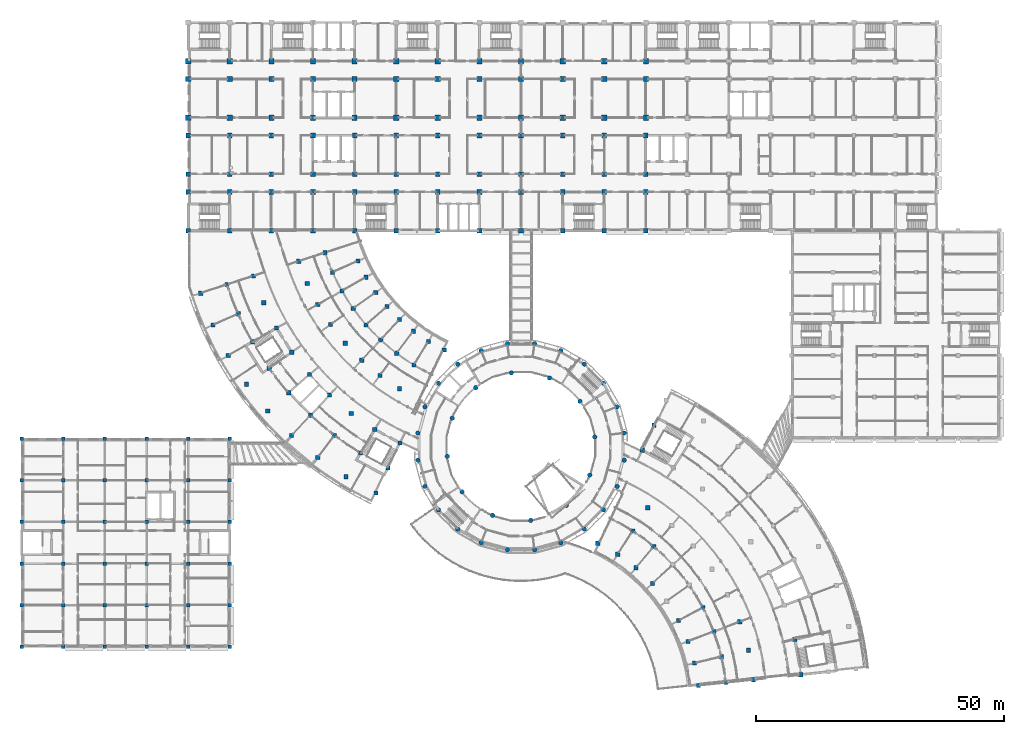
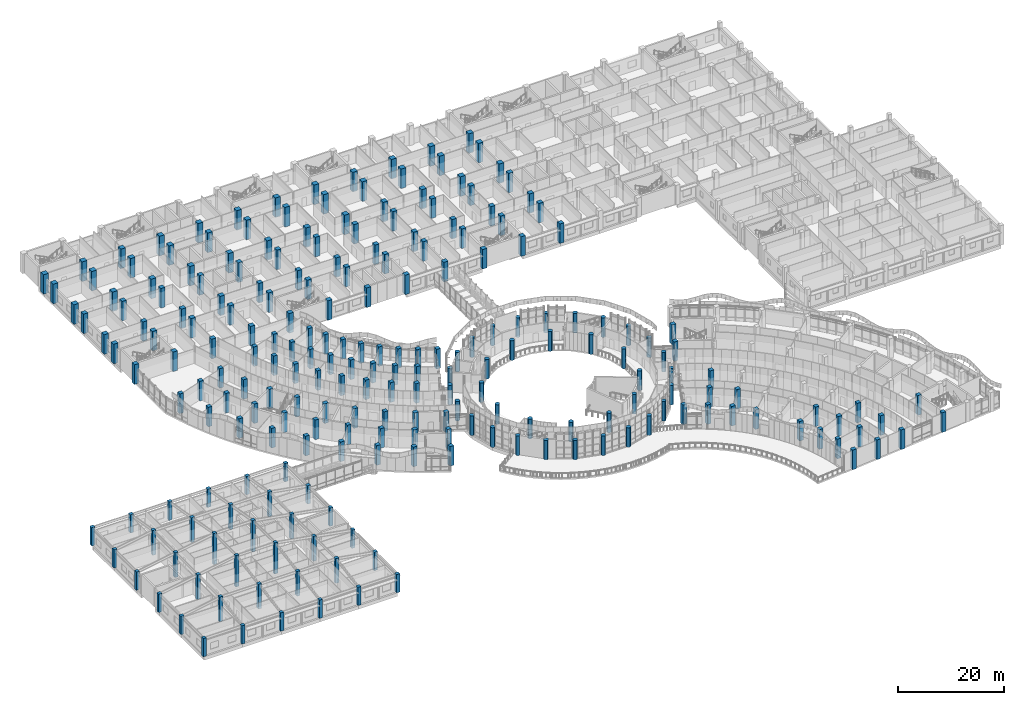
# One storey, part 1 of 136: 229 columns.
"""IFC4 building model written with IfcOpenShell, lengths in metres."""

from ifc_helpers import new_model, si_unit, direction, frame, origin, origin_2d, place, context, subcontext, project, spatial, rectangle, circle, extrude, material, material_profile, profile_set, type_object, element, save


model = new_model("IFC4")

# Units and contexts
model_context = context("Model", 3, precision=1e-05, world=origin(), true_north=direction((0.0, 1.0)))
body_context = subcontext(model_context, "Body", "Model", "MODEL_VIEW")
ifc_project = project(units=[si_unit("LENGTHUNIT", "METRE"), si_unit("AREAUNIT", "SQUARE_METRE"), si_unit("VOLUMEUNIT", "CUBIC_METRE"), si_unit("PLANEANGLEUNIT", "RADIAN"), si_unit("MASSUNIT", "GRAM", prefix="KILO")], contexts=[model_context])

# Site, building, storey
site_placement = place(None, origin())
site = spatial("IfcSite", under=ifc_project, at=site_placement, CompositionType="ELEMENT")
building_placement = place(site_placement, origin())
building = spatial("IfcBuilding", under=site, at=building_placement, Name="Bougainvillea Quay General Hospital", CompositionType="ELEMENT")
storey_placement = place(building_placement, frame((0.0, 0.0, 5.39990234375)))
storey = spatial("IfcBuildingStorey", under=building, at=storey_placement, Name="L01", CompositionType="ELEMENT", Elevation=5.39990234375)

# Columns
ifc_material = material(Name="Concrete C50", Category="concrete")
ifc_material_profile_1 = material_profile(ifc_material, rectangle(XDim=1.050048828125, YDim=1.050048828125, at=origin_2d()))
ifc_profile_set_1 = profile_set([ifc_material_profile_1], Name="Concrete C50")
column_type_1 = type_object("IfcColumnType", Name="RC COL 1050x1050 C50", PredefinedType="COLUMN", material=ifc_profile_set_1)
for number, where, z_axis, x_axis, name in (
    (1, (42.0, 140.39990234375, 0.0), (0.0, 0.0, 1.0), (1.0, 0.0, 0.0), "Column C-V4-004 L01"),
    (2, (42.0, 148.199951171875, 0.0), (0.0, 0.0, 1.0), (1.0, 0.0, 0.0), "Column C-V4-005 L01"),
    (3, (42.0, 151.800048828125, 0.0), (0.0, 0.0, 1.0), (1.0, 0.0, 0.0), "Column C-V4-006 L01"),
    (4, (50.39990234375, 140.39990234375, 0.0), (0.0, 0.0, 1.0), (1.0, 0.0, 0.0), "Column C-V4-014 L01"),
    (5, (50.39990234375, 148.199951171875, 0.0), (0.0, 0.0, 1.0), (1.0, 0.0, 0.0), "Column C-V4-015 L01"),
    (6, (50.39990234375, 151.800048828125, 0.0), (0.0, 0.0, 1.0), (1.0, 0.0, 0.0), "Column C-V4-016 L01"),
    (7, (58.800048828125, 140.39990234375, 0.0), (0.0, 0.0, 1.0), (1.0, 0.0, 0.0), "Column C-V4-024 L01"),
    (8, (58.800048828125, 148.199951171875, 0.0), (0.0, 0.0, 1.0), (1.0, 0.0, 0.0), "Column C-V4-025 L01"),
    (9, (58.800048828125, 151.800048828125, 0.0), (0.0, 0.0, 1.0), (1.0, 0.0, 0.0), "Column C-V4-026 L01"),
    (10, (67.199951171875, 140.39990234375, 0.0), (0.0, 0.0, 1.0), (1.0, 0.0, 0.0), "Column C-V4-034 L01"),
    (11, (67.199951171875, 148.199951171875, 0.0), (0.0, 0.0, 1.0), (1.0, 0.0, 0.0), "Column C-V4-035 L01"),
    (12, (67.199951171875, 151.800048828125, 0.0), (0.0, 0.0, 1.0), (1.0, 0.0, 0.0), "Column C-V4-036 L01"),
    (13, (75.60009765625, 140.39990234375, 0.0), (0.0, 0.0, 1.0), (1.0, 0.0, 0.0), "Column C-V4-044 L01"),
    (14, (75.60009765625, 148.199951171875, 0.0), (0.0, 0.0, 1.0), (1.0, 0.0, 0.0), "Column C-V4-045 L01"),
    (15, (75.60009765625, 151.800048828125, 0.0), (0.0, 0.0, 1.0), (1.0, 0.0, 0.0), "Column C-V4-046 L01"),
    (16, (84.0, 140.39990234375, 0.0), (0.0, 0.0, 1.0), (1.0, 0.0, 0.0), "Column C-V4-054 L01"),
    (17, (84.0, 148.199951171875, 0.0), (0.0, 0.0, 1.0), (1.0, 0.0, 0.0), "Column C-V4-055 L01"),
    (18, (84.0, 151.800048828125, 0.0), (0.0, 0.0, 1.0), (1.0, 0.0, 0.0), "Column C-V4-056 L01"),
    (19, (92.39990234375, 140.39990234375, 0.0), (0.0, 0.0, 1.0), (1.0, 0.0, 0.0), "Column C-V4-064 L01"),
    (20, (92.39990234375, 148.199951171875, 0.0), (0.0, 0.0, 1.0), (1.0, 0.0, 0.0), "Column C-V4-065 L01"),
    (21, (92.39990234375, 151.800048828125, 0.0), (0.0, 0.0, 1.0), (1.0, 0.0, 0.0), "Column C-V4-066 L01"),
    (22, (100.800048828125, 140.39990234375, 0.0), (0.0, 0.0, 1.0), (1.0, 0.0, 0.0), "Column C-V4-074 L01"),
    (23, (100.800048828125, 148.199951171875, 0.0), (0.0, 0.0, 1.0), (1.0, 0.0, 0.0), "Column C-V4-075 L01"),
    (24, (100.800048828125, 151.800048828125, 0.0), (0.0, 0.0, 1.0), (1.0, 0.0, 0.0), "Column C-V4-076 L01"),
    (25, (109.199951171875, 140.39990234375, 0.0), (0.0, 0.0, 1.0), (1.0, 0.0, 0.0), "Column C-V4-084 L01"),
    (26, (109.199951171875, 148.199951171875, 0.0), (0.0, 0.0, 1.0), (1.0, 0.0, 0.0), "Column C-V4-085 L01"),
    (27, (109.199951171875, 151.800048828125, 0.0), (0.0, 0.0, 1.0), (1.0, 0.0, 0.0), "Column C-V4-086 L01"),
    (28, (117.60009765625, 140.39990234375, 0.0), (0.0, 0.0, 1.0), (1.0, 0.0, 0.0), "Column C-V4-094 L01"),
    (29, (117.60009765625, 148.199951171875, 0.0), (0.0, 0.0, 1.0), (1.0, 0.0, 0.0), "Column C-V4-095 L01"),
    (30, (117.60009765625, 151.800048828125, 0.0), (0.0, 0.0, 1.0), (1.0, 0.0, 0.0), "Column C-V4-096 L01"),
    (31, (126.0, 140.39990234375, 0.0), (0.0, 0.0, 1.0), (1.0, 0.0, 0.0), "Column C-V4-104 L01"),
    (32, (126.0, 148.199951171875, 0.0), (0.0, 0.0, 1.0), (1.0, 0.0, 0.0), "Column C-V4-105 L01"),
    (33, (126.0, 151.800048828125, 0.0), (0.0, 0.0, 1.0), (1.0, 0.0, 0.0), "Column C-V4-106 L01"),
    (34, (134.39990234375, 140.39990234375, 0.0), (0.0, 0.0, 1.0), (1.0, 0.0, 0.0), "Column C-V4-114 L01"),
    (35, (134.39990234375, 148.199951171875, 0.0), (0.0, 0.0, 1.0), (1.0, 0.0, 0.0), "Column C-V4-115 L01"),
    (36, (134.39990234375, 151.800048828125, 0.0), (0.0, 0.0, 1.0), (1.0, 0.0, 0.0), "Column C-V4-116 L01"),
):
    element("IfcColumn", number, at=place(storey_placement, frame(where, z_axis=z_axis, x_axis=x_axis)), inside=storey, type_object=column_type_1, Name=name, PredefinedType="COLUMN", context=body_context, shape_type="SweptSolid", body=[
        extrude(rectangle(XDim=1.050048828125, YDim=1.050048828125, at=origin_2d()), origin(), (0.0, 0.0, 1.0), 4.5),
    ])
ifc_material_profile_2 = material_profile(ifc_material, rectangle(XDim=0.699951171875, YDim=0.699951171875, at=origin_2d()))
ifc_profile_set_2 = profile_set([ifc_material_profile_2], Name="Concrete C50")
column_type_2 = type_object("IfcColumnType", Name="RC COL 700x700 C50", PredefinedType="COLUMN", material=ifc_profile_set_2)
for number, where, z_axis, x_axis, name in (
    (37, (8.39990234375, 33.60009765625, 0.0), (0.0, 0.0, 1.0), (1.0, 0.0, 0.0), "Column C-V2-00 L01"),
    (38, (8.39990234375, 42.0, 0.0), (0.0, 0.0, 1.0), (1.0, 0.0, 0.0), "Column C-V2-01 L01"),
    (39, (8.39990234375, 50.39990234375, 0.0), (0.0, 0.0, 1.0), (1.0, 0.0, 0.0), "Column C-V2-02 L01"),
    (40, (8.39990234375, 58.800048828125, 0.0), (0.0, 0.0, 1.0), (1.0, 0.0, 0.0), "Column C-V2-03 L01"),
    (41, (8.39990234375, 67.199951171875, 0.0), (0.0, 0.0, 1.0), (1.0, 0.0, 0.0), "Column C-V2-04 L01"),
    (42, (8.39990234375, 75.60009765625, 0.0), (0.0, 0.0, 1.0), (1.0, 0.0, 0.0), "Column C-V2-05 L01"),
    (43, (16.800048828125, 33.60009765625, 0.0), (0.0, 0.0, 1.0), (1.0, 0.0, 0.0), "Column C-V2-10 L01"),
):
    element("IfcColumn", number, at=place(storey_placement, frame(where, z_axis=z_axis, x_axis=x_axis)), inside=storey, type_object=column_type_2, Name=name, PredefinedType="COLUMN", context=body_context, shape_type="SweptSolid", body=[
        extrude(rectangle(XDim=0.699951171875, YDim=0.699951171875, at=origin_2d()), origin(), (0.0, 0.0, 1.0), 4.210205078125),
    ])
for number, where, z_axis, x_axis, name in (
    (44, (16.800048828125, 42.0, 0.0), (0.0, 0.0, 1.0), (1.0, 0.0, 0.0), "Column C-V2-11 L01"),
    (45, (16.800048828125, 50.39990234375, 0.0), (0.0, 0.0, 1.0), (1.0, 0.0, 0.0), "Column C-V2-12 L01"),
    (46, (16.800048828125, 58.800048828125, 0.0), (0.0, 0.0, 1.0), (1.0, 0.0, 0.0), "Column C-V2-13 L01"),
    (47, (16.800048828125, 67.199951171875, 0.0), (0.0, 0.0, 1.0), (1.0, 0.0, 0.0), "Column C-V2-14 L01"),
):
    element("IfcColumn", number, at=place(storey_placement, frame(where, z_axis=z_axis, x_axis=x_axis)), inside=storey, type_object=column_type_2, Name=name, PredefinedType="COLUMN", context=body_context, shape_type="SweptSolid", body=[
        extrude(rectangle(XDim=0.699951171875, YDim=0.699951171875, at=origin_2d()), origin(), (0.0, 0.0, 1.0), 5.691162109375),
    ])
for number, where, z_axis, x_axis, name in (
    (48, (16.800048828125, 75.60009765625, 0.0), (0.0, 0.0, 1.0), (1.0, 0.0, 0.0), "Column C-V2-15 L01"),
    (49, (25.199951171875, 33.60009765625, 0.0), (0.0, 0.0, 1.0), (1.0, 0.0, 0.0), "Column C-V2-20 L01"),
):
    element("IfcColumn", number, at=place(storey_placement, frame(where, z_axis=z_axis, x_axis=x_axis)), inside=storey, type_object=column_type_2, Name=name, PredefinedType="COLUMN", context=body_context, shape_type="SweptSolid", body=[
        extrude(rectangle(XDim=0.699951171875, YDim=0.699951171875, at=origin_2d()), origin(), (0.0, 0.0, 1.0), 4.210205078125),
    ])
column_1_placement = place(storey_placement, frame((25.199951171875, 42.0, 0.0), z_axis=(0.0, 0.0, 1.0), x_axis=(1.0, 0.0, 0.0)))
element("IfcColumn", 50, at=column_1_placement, inside=storey, type_object=column_type_2, Name="Column C-V2-21 L01", PredefinedType="COLUMN", context=body_context, shape_type="SweptSolid", body=[
    extrude(rectangle(XDim=0.699951171875, YDim=0.699951171875, at=origin_2d()), origin(), (0.0, 0.0, 1.0), 5.691162109375),
])
for number, where, z_axis, x_axis, name in (
    (51, (25.199951171875, 50.39990234375, 0.0), (0.0, 0.0, 1.0), (1.0, 0.0, 0.0), "Column C-V2-22 L01"),
    (52, (25.199951171875, 58.800048828125, 0.0), (0.0, 0.0, 1.0), (1.0, 0.0, 0.0), "Column C-V2-23 L01"),
):
    element("IfcColumn", number, at=place(storey_placement, frame(where, z_axis=z_axis, x_axis=x_axis)), inside=storey, type_object=column_type_2, Name=name, PredefinedType="COLUMN", context=body_context, shape_type="SweptSolid", body=[
        extrude(rectangle(XDim=0.699951171875, YDim=0.699951171875, at=origin_2d()), origin(), (0.0, 0.0, 1.0), 7.17236328125),
    ])
column_2_placement = place(storey_placement, frame((25.199951171875, 67.199951171875, 0.0), z_axis=(0.0, 0.0, 1.0), x_axis=(1.0, 0.0, 0.0)))
element("IfcColumn", 53, at=column_2_placement, inside=storey, type_object=column_type_2, Name="Column C-V2-24 L01", PredefinedType="COLUMN", context=body_context, shape_type="SweptSolid", body=[
    extrude(rectangle(XDim=0.699951171875, YDim=0.699951171875, at=origin_2d()), origin(), (0.0, 0.0, 1.0), 5.691162109375),
])
for number, where, z_axis, x_axis, name in (
    (54, (25.199951171875, 75.60009765625, 0.0), (0.0, 0.0, 1.0), (1.0, 0.0, 0.0), "Column C-V2-25 L01"),
    (55, (33.60009765625, 33.60009765625, 0.0), (0.0, 0.0, 1.0), (1.0, 0.0, 0.0), "Column C-V2-30 L01"),
):
    element("IfcColumn", number, at=place(storey_placement, frame(where, z_axis=z_axis, x_axis=x_axis)), inside=storey, type_object=column_type_2, Name=name, PredefinedType="COLUMN", context=body_context, shape_type="SweptSolid", body=[
        extrude(rectangle(XDim=0.699951171875, YDim=0.699951171875, at=origin_2d()), origin(), (0.0, 0.0, 1.0), 4.210205078125),
    ])
column_3_placement = place(storey_placement, frame((33.60009765625, 42.0, 0.0), z_axis=(0.0, 0.0, 1.0), x_axis=(1.0, 0.0, 0.0)))
element("IfcColumn", 56, at=column_3_placement, inside=storey, type_object=column_type_2, Name="Column C-V2-31 L01", PredefinedType="COLUMN", context=body_context, shape_type="SweptSolid", body=[
    extrude(rectangle(XDim=0.699951171875, YDim=0.699951171875, at=origin_2d()), origin(), (0.0, 0.0, 1.0), 5.691162109375),
])
for number, where, z_axis, x_axis, name in (
    (57, (33.60009765625, 50.39990234375, 0.0), (0.0, 0.0, 1.0), (1.0, 0.0, 0.0), "Column C-V2-32 L01"),
    (58, (33.60009765625, 58.800048828125, 0.0), (0.0, 0.0, 1.0), (1.0, 0.0, 0.0), "Column C-V2-33 L01"),
):
    element("IfcColumn", number, at=place(storey_placement, frame(where, z_axis=z_axis, x_axis=x_axis)), inside=storey, type_object=column_type_2, Name=name, PredefinedType="COLUMN", context=body_context, shape_type="SweptSolid", body=[
        extrude(rectangle(XDim=0.699951171875, YDim=0.699951171875, at=origin_2d()), origin(), (0.0, 0.0, 1.0), 7.17236328125),
    ])
column_4_placement = place(storey_placement, frame((33.60009765625, 67.199951171875, 0.0), z_axis=(0.0, 0.0, 1.0), x_axis=(1.0, 0.0, 0.0)))
element("IfcColumn", 59, at=column_4_placement, inside=storey, type_object=column_type_2, Name="Column C-V2-34 L01", PredefinedType="COLUMN", context=body_context, shape_type="SweptSolid", body=[
    extrude(rectangle(XDim=0.699951171875, YDim=0.699951171875, at=origin_2d()), origin(), (0.0, 0.0, 1.0), 5.691162109375),
])
for number, where, z_axis, x_axis, name in (
    (60, (33.60009765625, 75.60009765625, 0.0), (0.0, 0.0, 1.0), (1.0, 0.0, 0.0), "Column C-V2-35 L01"),
    (61, (42.0, 33.60009765625, 0.0), (0.0, 0.0, 1.0), (1.0, 0.0, 0.0), "Column C-V2-40 L01"),
):
    element("IfcColumn", number, at=place(storey_placement, frame(where, z_axis=z_axis, x_axis=x_axis)), inside=storey, type_object=column_type_2, Name=name, PredefinedType="COLUMN", context=body_context, shape_type="SweptSolid", body=[
        extrude(rectangle(XDim=0.699951171875, YDim=0.699951171875, at=origin_2d()), origin(), (0.0, 0.0, 1.0), 4.210205078125),
    ])
for number, where, z_axis, x_axis, name in (
    (62, (42.0, 42.0, 0.0), (0.0, 0.0, 1.0), (1.0, 0.0, 0.0), "Column C-V2-41 L01"),
    (63, (42.0, 50.39990234375, 0.0), (0.0, 0.0, 1.0), (1.0, 0.0, 0.0), "Column C-V2-42 L01"),
    (64, (42.0, 58.800048828125, 0.0), (0.0, 0.0, 1.0), (1.0, 0.0, 0.0), "Column C-V2-43 L01"),
    (65, (42.0, 67.199951171875, 0.0), (0.0, 0.0, 1.0), (1.0, 0.0, 0.0), "Column C-V2-44 L01"),
):
    element("IfcColumn", number, at=place(storey_placement, frame(where, z_axis=z_axis, x_axis=x_axis)), inside=storey, type_object=column_type_2, Name=name, PredefinedType="COLUMN", context=body_context, shape_type="SweptSolid", body=[
        extrude(rectangle(XDim=0.699951171875, YDim=0.699951171875, at=origin_2d()), origin(), (0.0, 0.0, 1.0), 5.691162109375),
    ])
for number, where, z_axis, x_axis, name in (
    (66, (42.0, 75.60009765625, 0.0), (0.0, 0.0, 1.0), (1.0, 0.0, 0.0), "Column C-V2-45 L01"),
    (67, (50.39990234375, 33.60009765625, 0.0), (0.0, 0.0, 1.0), (1.0, 0.0, 0.0), "Column C-V2-50 L01"),
    (68, (50.39990234375, 42.0, 0.0), (0.0, 0.0, 1.0), (1.0, 0.0, 0.0), "Column C-V2-51 L01"),
    (69, (50.39990234375, 50.39990234375, 0.0), (0.0, 0.0, 1.0), (1.0, 0.0, 0.0), "Column C-V2-52 L01"),
    (70, (50.39990234375, 58.800048828125, 0.0), (0.0, 0.0, 1.0), (1.0, 0.0, 0.0), "Column C-V2-53 L01"),
    (71, (50.39990234375, 67.199951171875, 0.0), (0.0, 0.0, 1.0), (1.0, 0.0, 0.0), "Column C-V2-54 L01"),
    (72, (50.39990234375, 75.60009765625, 0.0), (0.0, 0.0, 1.0), (1.0, 0.0, 0.0), "Column C-V2-55 L01"),
):
    element("IfcColumn", number, at=place(storey_placement, frame(where, z_axis=z_axis, x_axis=x_axis)), inside=storey, type_object=column_type_2, Name=name, PredefinedType="COLUMN", context=body_context, shape_type="SweptSolid", body=[
        extrude(rectangle(XDim=0.699951171875, YDim=0.699951171875, at=origin_2d()), origin(), (0.0, 0.0, 1.0), 4.210205078125),
    ])
ifc_material_profile_3 = material_profile(ifc_material, rectangle(XDim=0.85009765625, YDim=0.85009765625, at=origin_2d()))
ifc_profile_set_3 = profile_set([ifc_material_profile_3], Name="Concrete C50")
column_type_3 = type_object("IfcColumnType", Name="RC COL 850x850 C50", PredefinedType="COLUMN", material=ifc_profile_set_3)
for number, where, z_axis, x_axis, name in (
    (73, (44.530029296875, 104.98193359375, 0.0), (0.0, 0.0, 1.0), (1.0, 0.0, 0.0), "Column C-V6-W80 L01"),
    (74, (46.989990234375, 98.5419921875, 0.0), (0.0, 0.0, 1.0), (1.0, 0.0, 0.0), "Column C-V6-W70 L01"),
    (75, (49.85498046875, 106.712890625, 0.0), (0.0, 0.0, 1.0), (1.0, 0.0, 0.0), "Column C-V6-W81 L01"),
    (76, (50.091064453125, 92.383056640625, 0.0), (0.0, 0.0, 1.0), (1.0, 0.0, 0.0), "Column C-V6-W60 L01"),
    (77, (52.114013671875, 100.802978515625, 0.0), (0.0, 0.0, 1.0), (1.0, 0.0, 0.0), "Column C-V6-W71 L01"),
    (78, (53.799072265625, 86.570068359375, 0.0), (0.0, 0.0, 1.0), (1.0, 0.0, 0.0), "Column C-V6-W50 L01"),
    (79, (54.958984375, 95.152099609375, 0.0), (0.0, 0.0, 1.0), (1.0, 0.0, 0.0), "Column C-V6-W61 L01"),
    (80, (55.180908203125, 108.444091796875, 0.0), (0.0, 0.0, 1.0), (1.0, 0.0, 0.0), "Column C-V6-W82 L01"),
    (81, (57.237060546875, 103.06396484375, 0.0), (0.0, 0.0, 1.0), (1.0, 0.0, 0.0), "Column C-V6-W72 L01"),
    (82, (58.075927734375, 81.1630859375, 0.0), (0.0, 0.0, 1.0), (1.0, 0.0, 0.0), "Column C-V6-W40 L01"),
    (83, (58.361083984375, 89.81689453125, 0.0), (0.0, 0.0, 1.0), (1.0, 0.0, 0.0), "Column C-V6-W51 L01"),
    (84, (59.825927734375, 97.919921875, 0.0), (0.0, 0.0, 1.0), (1.0, 0.0, 0.0), "Column C-V6-W62 L01"),
    (85, (62.287109375, 84.85498046875, 0.0), (0.0, 0.0, 1.0), (1.0, 0.0, 0.0), "Column C-V6-W41 L01"),
    (86, (62.8798828125, 76.216064453125, 0.0), (0.0, 0.0, 1.0), (1.0, 0.0, 0.0), "Column C-V6-W30 L01"),
    (87, (62.924072265625, 93.06494140625, 0.0), (0.0, 0.0, 1.0), (1.0, 0.0, 0.0), "Column C-V6-W52 L01"),
    (88, (64.31103515625, 111.410888671875, 0.0), (0.0, 0.0, 1.0), (1.0, 0.0, 0.0), "Column C-V6-W83 L01"),
    (89, (66.01904296875, 106.94091796875, 0.0), (0.0, 0.0, 1.0), (1.0, 0.0, 0.0), "Column C-V6-W73 L01"),
    (90, (66.4970703125, 88.548095703125, 0.0), (0.0, 0.0, 1.0), (1.0, 0.0, 0.0), "Column C-V6-W42 L01"),
    (91, (66.694091796875, 80.31591796875, 0.0), (0.0, 0.0, 1.0), (1.0, 0.0, 0.0), "Column C-V6-W31 L01"),
    (92, (68.158935546875, 71.781005859375, 0.0), (0.0, 0.0, 1.0), (1.0, 0.0, 0.0), "Column C-V6-W20 L01"),
    (93, (68.1708984375, 102.666015625, 0.0), (0.0, 0.0, 1.0), (1.0, 0.0, 0.0), "Column C-V6-W63 L01"),
    (94, (69.636962890625, 113.14208984375, 0.0), (0.0, 0.0, 1.0), (1.0, 0.0, 0.0), "Column C-V6-W84 L01"),
    (95, (70.509033203125, 84.416015625, 0.0), (0.0, 0.0, 1.0), (1.0, 0.0, 0.0), "Column C-V6-W32 L01"),
    (96, (70.7451171875, 98.631103515625, 0.0), (0.0, 0.0, 1.0), (1.0, 0.0, 0.0), "Column C-V6-W53 L01"),
    (97, (71.14208984375, 109.201904296875, 0.0), (0.0, 0.0, 1.0), (1.0, 0.0, 0.0), "Column C-V6-W74 L01"),
    (98, (71.5390625, 76.2470703125, 0.0), (0.0, 0.0, 1.0), (1.0, 0.0, 0.0), "Column C-V6-W21 L01"),
    (99, (73.0390625, 105.43408203125, 0.0), (0.0, 0.0, 1.0), (1.0, 0.0, 0.0), "Column C-V6-W64 L01"),
    (100, (73.714111328125, 94.8779296875, 0.0), (0.0, 0.0, 1.0), (1.0, 0.0, 0.0), "Column C-V6-W43 L01"),
    (101, (73.861083984375, 67.904052734375, 0.0), (0.0, 0.0, 1.0), (1.0, 0.0, 0.0), "Column C-V6-W10 L01"),
    (102, (74.9189453125, 80.7119140625, 0.0), (0.0, 0.0, 1.0), (1.0, 0.0, 0.0), "Column C-V6-W22 L01"),
    (103, (75.30810546875, 101.8779296875, 0.0), (0.0, 0.0, 1.0), (1.0, 0.0, 0.0), "Column C-V6-W54 L01"),
    (104, (76.26611328125, 111.462890625, 0.0), (0.0, 0.0, 1.0), (1.0, 0.0, 0.0), "Column C-V6-W75 L01"),
    (105, (76.77099609375, 72.68896484375, 0.0), (0.0, 0.0, 1.0), (1.0, 0.0, 0.0), "Column C-V6-W11 L01"),
    (106, (77.048095703125, 91.444091796875, 0.0), (0.0, 0.0, 1.0), (1.0, 0.0, 0.0), "Column C-V6-W33 L01"),
    (107, (77.906982421875, 108.202880859375, 0.0), (0.0, 0.0, 1.0), (1.0, 0.0, 0.0), "Column C-V6-W65 L01"),
    (108, (77.924072265625, 98.570068359375, 0.0), (0.0, 0.0, 1.0), (1.0, 0.0, 0.0), "Column C-V6-W44 L01"),
    (109, (79.680908203125, 77.472900390625, 0.0), (0.0, 0.0, 1.0), (1.0, 0.0, 0.0), "Column C-V6-W12 L01"),
    (110, (79.8701171875, 105.125, 0.0), (0.0, 0.0, 1.0), (1.0, 0.0, 0.0), "Column C-V6-W55 L01"),
    (111, (79.925048828125, 64.6240234375, 0.0), (0.0, 0.0, 1.0), (1.0, 0.0, 0.0), "Column C-V6-W00 L01"),
    (112, (80.712890625, 88.365966796875, 0.0), (0.0, 0.0, 1.0), (1.0, 0.0, 0.0), "Column C-V6-W23 L01"),
    (113, (80.863037109375, 95.5439453125, 0.0), (0.0, 0.0, 1.0), (1.0, 0.0, 0.0), "Column C-V6-W34 L01"),
    (114, (82.135009765625, 102.262939453125, 0.0), (0.0, 0.0, 1.0), (1.0, 0.0, 0.0), "Column C-V6-W45 L01"),
    (115, (82.3359375, 69.678955078125, 0.0), (0.0, 0.0, 1.0), (1.0, 0.0, 0.0), "Column C-V6-W01 L01"),
    (116, (84.093017578125, 92.8310546875, 0.0), (0.0, 0.0, 1.0), (1.0, 0.0, 0.0), "Column C-V6-W24 L01"),
    (117, (84.669921875, 85.675048828125, 0.0), (0.0, 0.0, 1.0), (1.0, 0.0, 0.0), "Column C-V6-W13 L01"),
    (118, (84.677001953125, 99.64404296875, 0.0), (0.0, 0.0, 1.0), (1.0, 0.0, 0.0), "Column C-V6-W35 L01"),
    (119, (84.7470703125, 74.73291015625, 0.0), (0.0, 0.0, 1.0), (1.0, 0.0, 0.0), "Column C-V6-W02 L01"),
    (120, (87.471923828125, 97.2958984375, 0.0), (0.0, 0.0, 1.0), (1.0, 0.0, 0.0), "Column C-V6-W25 L01"),
    (121, (87.5810546875, 90.458984375, 0.0), (0.0, 0.0, 1.0), (1.0, 0.0, 0.0), "Column C-V6-W14 L01"),
    (122, (90.490966796875, 95.242919921875, 0.0), (0.0, 0.0, 1.0), (1.0, 0.0, 0.0), "Column C-V6-W15 L01"),
    (123, (93.701904296875, 93.507080078125, 0.0), (0.0, 0.0, 1.0), (1.0, 0.0, 0.0), "Column C-V6-W05 L01"),
    (124, (124.697998046875, 54.492919921875, 0.0), (0.0, 0.0, 1.0), (1.0, 0.0, 0.0), "Column C-V6-E05 L01"),
    (125, (128.7080078125, 52.256103515625, 0.0), (0.0, 0.0, 1.0), (1.0, 0.0, 0.0), "Column C-V6-E15 L01"),
    (126, (131.741943359375, 56.962890625, 0.0), (0.0, 0.0, 1.0), (1.0, 0.0, 0.0), "Column C-V6-E14 L01"),
    (127, (132.39990234375, 49.527099609375, 0.0), (0.0, 0.0, 1.0), (1.0, 0.0, 0.0), "Column C-V6-E25 L01"),
    (128, (133.653076171875, 73.26708984375, 0.0), (0.0, 0.0, 1.0), (1.0, 0.0, 0.0), "Column C-V6-E02 L01"),
    (129, (134.777099609375, 61.6689453125, 0.0), (0.0, 0.0, 1.0), (1.0, 0.0, 0.0), "Column C-V6-E13 L01"),
    (130, (135.715087890625, 46.35107421875, 0.0), (0.0, 0.0, 1.0), (1.0, 0.0, 0.0), "Column C-V6-E35 L01"),
    (131, (136.009033203125, 53.81005859375, 0.0), (0.0, 0.0, 1.0), (1.0, 0.0, 0.0), "Column C-V6-E24 L01"),
    (132, (136.06396484375, 78.321044921875, 0.0), (0.0, 0.0, 1.0), (1.0, 0.0, 0.0), "Column C-V6-E01 L01"),
    (133, (141.00390625, 38.867919921875, 0.0), (0.0, 0.0, 1.0), (1.0, 0.0, 0.0), "Column C-V6-E55 L01"),
    (134, (142.89208984375, 34.68310546875, 0.0), (0.0, 0.0, 1.0), (1.0, 0.0, 0.0), "Column C-V6-E65 L01"),
    (135, (144.23193359375, 30.2919921875, 0.0), (0.0, 0.0, 1.0), (1.0, 0.0, 0.0), "Column C-V6-E75 L01"),
    (136, (145.0029296875, 25.76611328125, 0.0), (0.0, 0.0, 1.0), (1.0, 0.0, 0.0), "Column C-V6-E85 L01"),
    (137, (145.950927734375, 41.491943359375, 0.0), (0.0, 0.0, 1.0), (1.0, 0.0, 0.0), "Column C-V6-E54 L01"),
    (138, (148.133056640625, 36.656005859375, 0.0), (0.0, 0.0, 1.0), (1.0, 0.0, 0.0), "Column C-V6-E64 L01"),
    (139, (149.681884765625, 31.5810546875, 0.0), (0.0, 0.0, 1.0), (1.0, 0.0, 0.0), "Column C-V6-E74 L01"),
    (140, (150.572021484375, 26.35107421875, 0.0), (0.0, 0.0, 1.0), (1.0, 0.0, 0.0), "Column C-V6-E84 L01"),
    (141, (153.3740234375, 38.62890625, 0.0), (0.0, 0.0, 1.0), (1.0, 0.0, 0.0), "Column C-V6-E63 L01"),
    (142, (155.131103515625, 32.87109375, 0.0), (0.0, 0.0, 1.0), (1.0, 0.0, 0.0), "Column C-V6-E73 L01"),
    (143, (156.14111328125, 26.93701171875, 0.0), (0.0, 0.0, 1.0), (1.0, 0.0, 0.0), "Column C-V6-E83 L01"),
    (144, (164.472900390625, 35.08203125, 0.0), (0.0, 0.0, 1.0), (1.0, 0.0, 0.0), "Column C-V6-E72 L01"),
    (145, (165.68798828125, 27.94091796875, 0.0), (0.0, 0.0, 1.0), (1.0, 0.0, 0.0), "Column C-V6-E82 L01"),
):
    element("IfcColumn", number, at=place(storey_placement, frame(where, z_axis=z_axis, x_axis=x_axis)), inside=storey, type_object=column_type_3, Name=name, PredefinedType="COLUMN", context=body_context, shape_type="SweptSolid", body=[
        extrude(rectangle(XDim=0.85009765625, YDim=0.85009765625, at=origin_2d()), origin(), (0.0, 0.0, 1.0), 4.5),
    ])
ifc_material_profile_4 = material_profile(ifc_material, rectangle(XDim=0.949951171875, YDim=0.949951171875, at=origin_2d()))
ifc_profile_set_4 = profile_set([ifc_material_profile_4], Name="Concrete C50")
column_type_4 = type_object("IfcColumnType", Name="RC COL 950x950 C50", PredefinedType="COLUMN", material=ifc_profile_set_4)
for number, where, z_axis, x_axis, name in (
    (146, (42.0, 117.60009765625, 0.0), (0.0, 0.0, 1.0), (1.0, 0.0, 0.0), "Column C-V4-000 L01"),
    (147, (42.0, 125.39990234375, 0.0), (0.0, 0.0, 1.0), (1.0, 0.0, 0.0), "Column C-V4-001 L01"),
    (148, (42.0, 129.0, 0.0), (0.0, 0.0, 1.0), (1.0, 0.0, 0.0), "Column C-V4-002 L01"),
    (149, (42.0, 136.800048828125, 0.0), (0.0, 0.0, 1.0), (1.0, 0.0, 0.0), "Column C-V4-003 L01"),
    (150, (50.39990234375, 117.60009765625, 0.0), (0.0, 0.0, 1.0), (1.0, 0.0, 0.0), "Column C-V4-010 L01"),
    (151, (50.39990234375, 125.39990234375, 0.0), (0.0, 0.0, 1.0), (1.0, 0.0, 0.0), "Column C-V4-011 L01"),
    (152, (50.39990234375, 129.0, 0.0), (0.0, 0.0, 1.0), (1.0, 0.0, 0.0), "Column C-V4-012 L01"),
    (153, (50.39990234375, 136.800048828125, 0.0), (0.0, 0.0, 1.0), (1.0, 0.0, 0.0), "Column C-V4-013 L01"),
    (154, (58.800048828125, 117.60009765625, 0.0), (0.0, 0.0, 1.0), (1.0, 0.0, 0.0), "Column C-V4-020 L01"),
    (155, (58.800048828125, 125.39990234375, 0.0), (0.0, 0.0, 1.0), (1.0, 0.0, 0.0), "Column C-V4-021 L01"),
    (156, (58.800048828125, 129.0, 0.0), (0.0, 0.0, 1.0), (1.0, 0.0, 0.0), "Column C-V4-022 L01"),
    (157, (58.800048828125, 136.800048828125, 0.0), (0.0, 0.0, 1.0), (1.0, 0.0, 0.0), "Column C-V4-023 L01"),
    (158, (67.199951171875, 117.60009765625, 0.0), (0.0, 0.0, 1.0), (1.0, 0.0, 0.0), "Column C-V4-030 L01"),
    (159, (67.199951171875, 125.39990234375, 0.0), (0.0, 0.0, 1.0), (1.0, 0.0, 0.0), "Column C-V4-031 L01"),
    (160, (67.199951171875, 129.0, 0.0), (0.0, 0.0, 1.0), (1.0, 0.0, 0.0), "Column C-V4-032 L01"),
    (161, (67.199951171875, 136.800048828125, 0.0), (0.0, 0.0, 1.0), (1.0, 0.0, 0.0), "Column C-V4-033 L01"),
    (162, (75.60009765625, 117.60009765625, 0.0), (0.0, 0.0, 1.0), (1.0, 0.0, 0.0), "Column C-V4-040 L01"),
    (163, (75.60009765625, 125.39990234375, 0.0), (0.0, 0.0, 1.0), (1.0, 0.0, 0.0), "Column C-V4-041 L01"),
    (164, (75.60009765625, 129.0, 0.0), (0.0, 0.0, 1.0), (1.0, 0.0, 0.0), "Column C-V4-042 L01"),
    (165, (75.60009765625, 136.800048828125, 0.0), (0.0, 0.0, 1.0), (1.0, 0.0, 0.0), "Column C-V4-043 L01"),
    (166, (84.0, 117.60009765625, 0.0), (0.0, 0.0, 1.0), (1.0, 0.0, 0.0), "Column C-V4-050 L01"),
    (167, (84.0, 125.39990234375, 0.0), (0.0, 0.0, 1.0), (1.0, 0.0, 0.0), "Column C-V4-051 L01"),
    (168, (84.0, 129.0, 0.0), (0.0, 0.0, 1.0), (1.0, 0.0, 0.0), "Column C-V4-052 L01"),
    (169, (84.0, 136.800048828125, 0.0), (0.0, 0.0, 1.0), (1.0, 0.0, 0.0), "Column C-V4-053 L01"),
    (170, (92.39990234375, 117.60009765625, 0.0), (0.0, 0.0, 1.0), (1.0, 0.0, 0.0), "Column C-V4-060 L01"),
    (171, (92.39990234375, 125.39990234375, 0.0), (0.0, 0.0, 1.0), (1.0, 0.0, 0.0), "Column C-V4-061 L01"),
    (172, (92.39990234375, 129.0, 0.0), (0.0, 0.0, 1.0), (1.0, 0.0, 0.0), "Column C-V4-062 L01"),
    (173, (92.39990234375, 136.800048828125, 0.0), (0.0, 0.0, 1.0), (1.0, 0.0, 0.0), "Column C-V4-063 L01"),
    (174, (100.800048828125, 117.60009765625, 0.0), (0.0, 0.0, 1.0), (1.0, 0.0, 0.0), "Column C-V4-070 L01"),
    (175, (100.800048828125, 125.39990234375, 0.0), (0.0, 0.0, 1.0), (1.0, 0.0, 0.0), "Column C-V4-071 L01"),
    (176, (100.800048828125, 129.0, 0.0), (0.0, 0.0, 1.0), (1.0, 0.0, 0.0), "Column C-V4-072 L01"),
    (177, (100.800048828125, 136.800048828125, 0.0), (0.0, 0.0, 1.0), (1.0, 0.0, 0.0), "Column C-V4-073 L01"),
    (178, (109.199951171875, 117.60009765625, 0.0), (0.0, 0.0, 1.0), (1.0, 0.0, 0.0), "Column C-V4-080 L01"),
    (179, (109.199951171875, 125.39990234375, 0.0), (0.0, 0.0, 1.0), (1.0, 0.0, 0.0), "Column C-V4-081 L01"),
    (180, (109.199951171875, 129.0, 0.0), (0.0, 0.0, 1.0), (1.0, 0.0, 0.0), "Column C-V4-082 L01"),
    (181, (109.199951171875, 136.800048828125, 0.0), (0.0, 0.0, 1.0), (1.0, 0.0, 0.0), "Column C-V4-083 L01"),
    (182, (117.60009765625, 117.60009765625, 0.0), (0.0, 0.0, 1.0), (1.0, 0.0, 0.0), "Column C-V4-090 L01"),
    (183, (117.60009765625, 125.39990234375, 0.0), (0.0, 0.0, 1.0), (1.0, 0.0, 0.0), "Column C-V4-091 L01"),
    (184, (117.60009765625, 129.0, 0.0), (0.0, 0.0, 1.0), (1.0, 0.0, 0.0), "Column C-V4-092 L01"),
    (185, (117.60009765625, 136.800048828125, 0.0), (0.0, 0.0, 1.0), (1.0, 0.0, 0.0), "Column C-V4-093 L01"),
    (186, (126.0, 117.60009765625, 0.0), (0.0, 0.0, 1.0), (1.0, 0.0, 0.0), "Column C-V4-100 L01"),
    (187, (126.0, 125.39990234375, 0.0), (0.0, 0.0, 1.0), (1.0, 0.0, 0.0), "Column C-V4-101 L01"),
    (188, (126.0, 129.0, 0.0), (0.0, 0.0, 1.0), (1.0, 0.0, 0.0), "Column C-V4-102 L01"),
    (189, (126.0, 136.800048828125, 0.0), (0.0, 0.0, 1.0), (1.0, 0.0, 0.0), "Column C-V4-103 L01"),
    (190, (134.39990234375, 117.60009765625, 0.0), (0.0, 0.0, 1.0), (1.0, 0.0, 0.0), "Column C-V4-110 L01"),
    (191, (134.39990234375, 125.39990234375, 0.0), (0.0, 0.0, 1.0), (1.0, 0.0, 0.0), "Column C-V4-111 L01"),
    (192, (134.39990234375, 129.0, 0.0), (0.0, 0.0, 1.0), (1.0, 0.0, 0.0), "Column C-V4-112 L01"),
    (193, (134.39990234375, 136.800048828125, 0.0), (0.0, 0.0, 1.0), (1.0, 0.0, 0.0), "Column C-V4-113 L01"),
):
    element("IfcColumn", number, at=place(storey_placement, frame(where, z_axis=z_axis, x_axis=x_axis)), inside=storey, type_object=column_type_4, Name=name, PredefinedType="COLUMN", context=body_context, shape_type="SweptSolid", body=[
        extrude(rectangle(XDim=0.949951171875, YDim=0.949951171875, at=origin_2d()), origin(), (0.0, 0.0, 1.0), 4.5),
    ])
ifc_material_profile_5 = material_profile(ifc_material, circle(Radius=0.449951171875, at=origin_2d()))
ifc_profile_set_5 = profile_set([ifc_material_profile_5], Name="Concrete C50")
column_type_5 = type_object("IfcColumnType", Name="RC COL D900 C50", PredefinedType="COLUMN", material=ifc_profile_set_5)
for number, where, z_axis, x_axis, name in (
    (194, (88.3798828125, 71.259033203125, 0.0), (0.0, 0.0, 1.0), (1.0, 0.0, 0.0), "Column C-V1-O12 L01"),
    (195, (88.3798828125, 76.740966796875, 0.0), (0.0, 0.0, 1.0), (1.0, 0.0, 0.0), "Column C-V1-O11 L01"),
    (196, (89.799072265625, 65.964111328125, 0.0), (0.0, 0.0, 1.0), (1.0, 0.0, 0.0), "Column C-V1-O13 L01"),
    (197, (89.799072265625, 82.035888671875, 0.0), (0.0, 0.0, 1.0), (1.0, 0.0, 0.0), "Column C-V1-O10 L01"),
    (198, (92.5400390625, 61.216064453125, 0.0), (0.0, 0.0, 1.0), (1.0, 0.0, 0.0), "Column C-V1-O14 L01"),
    (199, (92.5400390625, 86.783935546875, 0.0), (0.0, 0.0, 1.0), (1.0, 0.0, 0.0), "Column C-V1-O09 L01"),
    (200, (94.327880859375, 72.0419921875, 0.0), (0.0, 0.0, 1.0), (1.0, 0.0, 0.0), "Column C-V1-I06 L01"),
    (201, (95.342041015625, 79.739990234375, 0.0), (0.0, 0.0, 1.0), (1.0, 0.0, 0.0), "Column C-V1-I05 L01"),
    (202, (96.416015625, 57.340087890625, 0.0), (0.0, 0.0, 1.0), (1.0, 0.0, 0.0), "Column C-V1-O15 L01"),
    (203, (96.416015625, 90.659912109375, 0.0), (0.0, 0.0, 1.0), (1.0, 0.0, 0.0), "Column C-V1-O08 L01"),
    (204, (97.300048828125, 64.868896484375, 0.0), (0.0, 0.0, 1.0), (1.0, 0.0, 0.0), "Column C-V1-I07 L01"),
    (205, (100.069091796875, 85.89990234375, 0.0), (0.0, 0.0, 1.0), (1.0, 0.0, 0.0), "Column C-V1-I04 L01"),
    (206, (101.1640625, 54.59912109375, 0.0), (0.0, 0.0, 1.0), (1.0, 0.0, 0.0), "Column C-V1-O16 L01"),
    (207, (101.1640625, 93.40087890625, 0.0), (0.0, 0.0, 1.0), (1.0, 0.0, 0.0), "Column C-V1-O07 L01"),
    (208, (103.4599609375, 60.14208984375, 0.0), (0.0, 0.0, 1.0), (1.0, 0.0, 0.0), "Column C-V1-I08 L01"),
    (209, (106.458984375, 53.179931640625, 0.0), (0.0, 0.0, 1.0), (1.0, 0.0, 0.0), "Column C-V1-O17 L01"),
    (210, (106.458984375, 94.820068359375, 0.0), (0.0, 0.0, 1.0), (1.0, 0.0, 0.0), "Column C-V1-O06 L01"),
    (211, (107.241943359375, 88.8720703125, 0.0), (0.0, 0.0, 1.0), (1.0, 0.0, 0.0), "Column C-V1-I03 L01"),
    (212, (111.157958984375, 59.1279296875, 0.0), (0.0, 0.0, 1.0), (1.0, 0.0, 0.0), "Column C-V1-I09 L01"),
    (213, (111.94091796875, 53.179931640625, 0.0), (0.0, 0.0, 1.0), (1.0, 0.0, 0.0), "Column C-V1-O18 L01"),
    (214, (111.94091796875, 94.820068359375, 0.0), (0.0, 0.0, 1.0), (1.0, 0.0, 0.0), "Column C-V1-O05 L01"),
    (215, (114.93994140625, 87.85791015625, 0.0), (0.0, 0.0, 1.0), (1.0, 0.0, 0.0), "Column C-V1-I02 L01"),
    (216, (117.236083984375, 54.59912109375, 0.0), (0.0, 0.0, 1.0), (1.0, 0.0, 0.0), "Column C-V1-O19 L01"),
    (217, (117.236083984375, 93.40087890625, 0.0), (0.0, 0.0, 1.0), (1.0, 0.0, 0.0), "Column C-V1-O04 L01"),
    (218, (118.3310546875, 62.10009765625, 0.0), (0.0, 0.0, 1.0), (1.0, 0.0, 0.0), "Column C-V1-I10 L01"),
    (219, (121.10009765625, 83.131103515625, 0.0), (0.0, 0.0, 1.0), (1.0, 0.0, 0.0), "Column C-V1-I01 L01"),
    (220, (121.98388671875, 57.340087890625, 0.0), (0.0, 0.0, 1.0), (1.0, 0.0, 0.0), "Column C-V1-O20 L01"),
    (221, (121.98388671875, 90.659912109375, 0.0), (0.0, 0.0, 1.0), (1.0, 0.0, 0.0), "Column C-V1-O03 L01"),
    (222, (123.05810546875, 68.260009765625, 0.0), (0.0, 0.0, 1.0), (1.0, 0.0, 0.0), "Column C-V1-I11 L01"),
    (223, (124.072021484375, 75.9580078125, 0.0), (0.0, 0.0, 1.0), (1.0, 0.0, 0.0), "Column C-V1-I00 L01"),
    (224, (125.860107421875, 61.216064453125, 0.0), (0.0, 0.0, 1.0), (1.0, 0.0, 0.0), "Column C-V1-O21 L01"),
    (225, (125.860107421875, 86.783935546875, 0.0), (0.0, 0.0, 1.0), (1.0, 0.0, 0.0), "Column C-V1-O02 L01"),
    (226, (128.60107421875, 65.964111328125, 0.0), (0.0, 0.0, 1.0), (1.0, 0.0, 0.0), "Column C-V1-O22 L01"),
    (227, (128.60107421875, 82.035888671875, 0.0), (0.0, 0.0, 1.0), (1.0, 0.0, 0.0), "Column C-V1-O01 L01"),
    (228, (130.02001953125, 71.259033203125, 0.0), (0.0, 0.0, 1.0), (1.0, 0.0, 0.0), "Column C-V1-O23 L01"),
    (229, (130.02001953125, 76.740966796875, 0.0), (0.0, 0.0, 1.0), (1.0, 0.0, 0.0), "Column C-V1-O00 L01"),
):
    element("IfcColumn", number, at=place(storey_placement, frame(where, z_axis=z_axis, x_axis=x_axis)), inside=storey, type_object=column_type_5, Name=name, PredefinedType="COLUMN", context=body_context, shape_type="SweptSolid", body=[
        extrude(circle(Radius=0.449951171875, at=origin_2d()), origin(), (0.0, 0.0, 1.0), 4.5),
    ])

save(model, "model.ifc")
